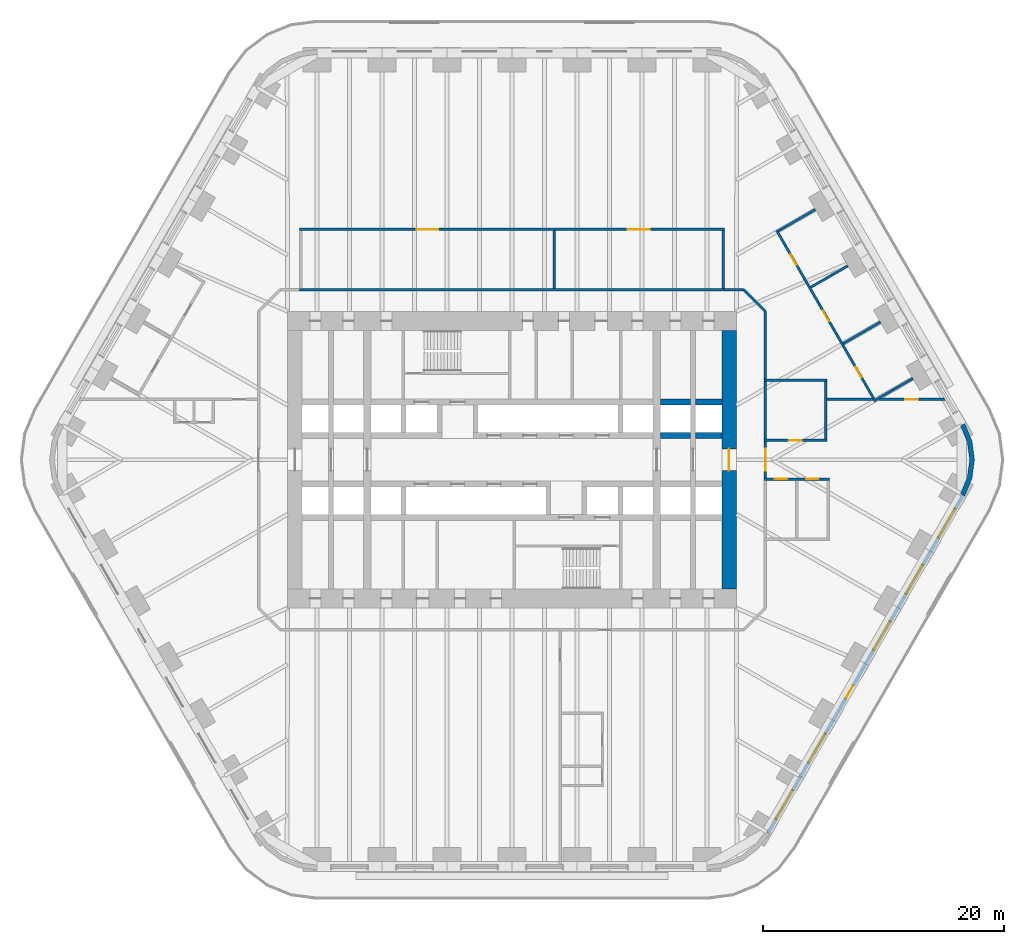
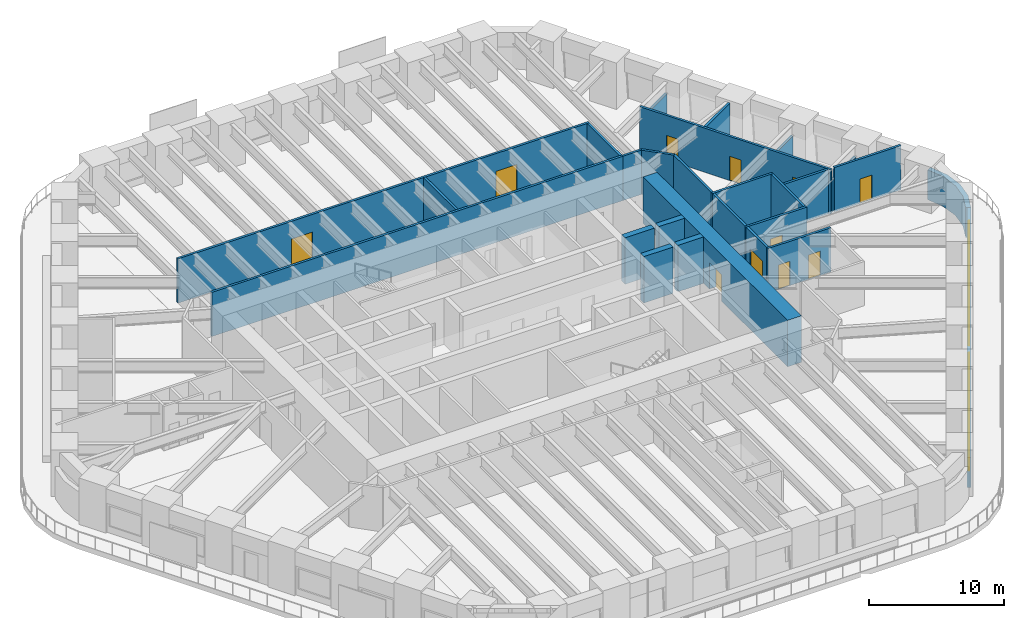
# One storey, part 19 of 23: 27 walls, 12 doors, 5 windows, 17 openings.
"""IFC4 building model written with IfcOpenShell, lengths in metres."""

from ifc_helpers import new_model, si_unit, direction, frame, frame_2d, origin, place, context, subcontext, project, spatial, polyline, rectangle, outline, extrude, material, layer, layer_set, type_object, element, fill, save


model = new_model("IFC4")

# Units and contexts
model_context = context("Model", 3, precision=1e-05, world=origin(), true_north=direction((0.0, 1.0)))
body_context = subcontext(model_context, "Body", "Model", "MODEL_VIEW")
ifc_project = project(units=[si_unit("LENGTHUNIT", "METRE"), si_unit("AREAUNIT", "SQUARE_METRE"), si_unit("VOLUMEUNIT", "CUBIC_METRE"), si_unit("PLANEANGLEUNIT", "RADIAN"), si_unit("MASSUNIT", "GRAM", prefix="KILO")], contexts=[model_context])

# Site, building, storey
site_placement = place(None, origin())
site = spatial("IfcSite", under=ifc_project, at=site_placement, CompositionType="ELEMENT")
building_placement = place(site_placement, origin())
building = spatial("IfcBuilding", under=site, at=building_placement, Name="Tarfa Lantern Tower", CompositionType="ELEMENT")
storey_placement = place(building_placement, frame((0.0, 0.0, 40.300048828125)))
storey = spatial("IfcBuildingStorey", under=building, at=storey_placement, Name="L08", CompositionType="ELEMENT", Elevation=40.300048828125)

# Wall, openings, door, windows
ifc_material_1 = material(Name="Limestone cladding on blockwork", Category="masonry")
ifc_layer_1 = layer(ifc_material_1, 0.300048828125)
ifc_layer_set_1 = layer_set([ifc_layer_1], Name="EW1 STONE-CLAD WALL 300")
wall_type_1 = type_object("IfcWallType", Name="EW1 STONE-CLAD WALL 300", PredefinedType="SOLIDWALL", material=ifc_layer_set_1)
wall_1_placement = place(storey_placement, frame((21.232177734375, -30.925048828125, 0.0), z_axis=(0.0, 0.0, 1.0), x_axis=(0.499999163675, 0.866025886636, 0.0)))
wall_1 = element("IfcWall", 1, at=wall_1_placement, inside=storey, type_object=wall_type_1, Name="Stone wall SE", PredefinedType="SOLIDWALL", context=body_context, shape_type="SweptSolid", body=[
    extrude(rectangle(XDim=32.33154296875, YDim=0.300048828125, at=frame_2d((16.165771484375, 0.0))), origin(), (0.0, 0.0, 1.0), 2.699951171875),
])
opening_1_placement = place(wall_1_placement, frame((1.3193359375, 0.0, 0.60009765625)))
opening_1 = element("IfcOpeningElement", 2, at=opening_1_placement, cuts=wall_1, Name="Opening W2", PredefinedType="OPENING", context=body_context, shape_type="SweptSolid", body=[
    extrude(rectangle(XDim=2.75, YDim=1.85009765625, at=frame_2d((1.375, 0.925048828125))), frame((0.0, 0.159912109375, 0.0), z_axis=(0.0, -1.0, 0.0), x_axis=(1.0, 0.0, 0.0)), (0.0, 0.0, 1.0), 0.320068359375),
])
opening_2_placement = place(wall_1_placement, frame((6.7080078125, 0.0, 0.60009765625)))
opening_2 = element("IfcOpeningElement", 3, at=opening_2_placement, cuts=wall_1, Name="Opening W2", PredefinedType="OPENING", context=body_context, shape_type="SweptSolid", body=[
    extrude(rectangle(XDim=2.75, YDim=1.85009765625, at=frame_2d((1.375, 0.925048828125))), frame((0.0, 0.159912109375, 0.0), z_axis=(0.0, -1.0, 0.0), x_axis=(1.0, 0.0, 0.0)), (0.0, 0.0, 1.0), 0.320068359375),
])
opening_3_placement = place(wall_1_placement, frame((12.87158203125, 0.0, 0.0)))
opening_3 = element("IfcOpeningElement", 4, at=opening_3_placement, cuts=wall_1, Name="Opening D50", PredefinedType="OPENING", context=body_context, shape_type="SweptSolid", body=[
    extrude(rectangle(XDim=1.199951171875, YDim=2.39990234375, at=frame_2d((0.60009765625, 1.199951171875))), frame((0.0, 0.159912109375, 0.0), z_axis=(0.0, -1.0, 0.0), x_axis=(1.0, 0.0, 0.0)), (0.0, 0.0, 1.0), 0.320068359375),
])
opening_4_placement = place(wall_1_placement, frame((17.485107421875, 0.0, 0.60009765625)))
opening_4 = element("IfcOpeningElement", 5, at=opening_4_placement, cuts=wall_1, Name="Opening W2", PredefinedType="OPENING", context=body_context, shape_type="SweptSolid", body=[
    extrude(rectangle(XDim=2.75, YDim=1.85009765625, at=frame_2d((1.375, 0.925048828125))), frame((0.0, 0.159912109375, 0.0), z_axis=(0.0, -1.0, 0.0), x_axis=(1.0, 0.0, 0.0)), (0.0, 0.0, 1.0), 0.320068359375),
])
opening_5_placement = place(wall_1_placement, frame((22.873779296875, 0.0, 0.60009765625)))
opening_5 = element("IfcOpeningElement", 6, at=opening_5_placement, cuts=wall_1, Name="Opening W2", PredefinedType="OPENING", context=body_context, shape_type="SweptSolid", body=[
    extrude(rectangle(XDim=2.75, YDim=1.85009765625, at=frame_2d((1.375, 0.925048828125))), frame((0.0, 0.159912109375, 0.0), z_axis=(0.0, -1.0, 0.0), x_axis=(1.0, 0.0, 0.0)), (0.0, 0.0, 1.0), 0.320068359375),
])
opening_6_placement = place(wall_1_placement, frame((28.26220703125, 0.0, 0.60009765625)))
opening_6 = element("IfcOpeningElement", 7, at=opening_6_placement, cuts=wall_1, Name="Opening W2", PredefinedType="OPENING", context=body_context, shape_type="SweptSolid", body=[
    extrude(rectangle(XDim=2.75, YDim=1.85009765625, at=frame_2d((1.375, 0.925048828125))), frame((0.0, 0.159912109375, 0.0), z_axis=(0.0, -1.0, 0.0), x_axis=(1.0, 0.0, 0.0)), (0.0, 0.0, 1.0), 0.320068359375),
])
ifc_material_2 = material(Name="Aluminium framed glazed door", Category="aluminium")
door_type_1 = type_object("IfcDoorType", Name="BE3 BALCONY DOOR 1200x2400", OperationType="SINGLE_SWING_RIGHT", PredefinedType="DOOR", material=ifc_material_2)
door_1_placement = place(opening_3_placement, origin())
door_1 = element("IfcDoor", 8, at=door_1_placement, inside=storey, type_object=door_type_1, Name="Balcony door SE", OperationType="SINGLE_SWING_RIGHT", OverallHeight=2.39990234375, OverallWidth=1.199951171875, PredefinedType="DOOR", context=body_context, shape_type="SweptSolid", body=[
    extrude(rectangle(XDim=1.199951171875, YDim=2.39990234375, at=frame_2d((0.60009765625, 1.199951171875))), frame((0.0, 0.02490234375, 0.0), z_axis=(0.0, -1.0, 0.0), x_axis=(1.0, 0.0, 0.0)), (0.0, 0.0, 1.0), 0.050048828125),
])
fill(opening_3, door_1)
ifc_material_3 = material(Name="Aluminium frame, double glazed", Category="aluminium")
window_type = type_object("IfcWindowType", Name="W2 FULL-HEIGHT GLAZING 2750x1850", PartitioningType="SINGLE_PANEL", PredefinedType="WINDOW", material=ifc_material_3)
window_1_placement = place(opening_1_placement, origin())
window_1 = element("IfcWindow", 9, at=window_1_placement, inside=storey, type_object=window_type, Name="Window SE 1", OverallHeight=1.85009765625, OverallWidth=2.75, PartitioningType="SINGLE_PANEL", PredefinedType="WINDOW", context=body_context, shape_type="SweptSolid", body=[
    extrude(rectangle(XDim=2.75, YDim=1.85009765625, at=frame_2d((1.375, 0.925048828125))), frame((0.0, 0.030029296875, 0.0), z_axis=(0.0, -1.0, 0.0), x_axis=(1.0, 0.0, 0.0)), (0.0, 0.0, 1.0), 0.06005859375),
])
fill(opening_1, window_1)
window_2_placement = place(opening_2_placement, origin())
window_2 = element("IfcWindow", 10, at=window_2_placement, inside=storey, type_object=window_type, Name="Window SE 2", OverallHeight=1.85009765625, OverallWidth=2.75, PartitioningType="SINGLE_PANEL", PredefinedType="WINDOW", context=body_context, shape_type="SweptSolid", body=[
    extrude(rectangle(XDim=2.75, YDim=1.85009765625, at=frame_2d((1.375, 0.925048828125))), frame((0.0, 0.030029296875, 0.0), z_axis=(0.0, -1.0, 0.0), x_axis=(1.0, 0.0, 0.0)), (0.0, 0.0, 1.0), 0.06005859375),
])
fill(opening_2, window_2)
window_3_placement = place(opening_4_placement, origin())
window_3 = element("IfcWindow", 11, at=window_3_placement, inside=storey, type_object=window_type, Name="Window SE 4", OverallHeight=1.85009765625, OverallWidth=2.75, PartitioningType="SINGLE_PANEL", PredefinedType="WINDOW", context=body_context, shape_type="SweptSolid", body=[
    extrude(rectangle(XDim=2.75, YDim=1.85009765625, at=frame_2d((1.375, 0.925048828125))), frame((0.0, 0.030029296875, 0.0), z_axis=(0.0, -1.0, 0.0), x_axis=(1.0, 0.0, 0.0)), (0.0, 0.0, 1.0), 0.06005859375),
])
fill(opening_4, window_3)
window_4_placement = place(opening_5_placement, origin())
window_4 = element("IfcWindow", 12, at=window_4_placement, inside=storey, type_object=window_type, Name="Window SE 5", OverallHeight=1.85009765625, OverallWidth=2.75, PartitioningType="SINGLE_PANEL", PredefinedType="WINDOW", context=body_context, shape_type="SweptSolid", body=[
    extrude(rectangle(XDim=2.75, YDim=1.85009765625, at=frame_2d((1.375, 0.925048828125))), frame((0.0, 0.030029296875, 0.0), z_axis=(0.0, -1.0, 0.0), x_axis=(1.0, 0.0, 0.0)), (0.0, 0.0, 1.0), 0.06005859375),
])
fill(opening_5, window_4)
window_5_placement = place(opening_6_placement, origin())
window_5 = element("IfcWindow", 13, at=window_5_placement, inside=storey, type_object=window_type, Name="Window SE 6", OverallHeight=1.85009765625, OverallWidth=2.75, PartitioningType="SINGLE_PANEL", PredefinedType="WINDOW", context=body_context, shape_type="SweptSolid", body=[
    extrude(rectangle(XDim=2.75, YDim=1.85009765625, at=frame_2d((1.375, 0.925048828125))), frame((0.0, 0.030029296875, 0.0), z_axis=(0.0, -1.0, 0.0), x_axis=(1.0, 0.0, 0.0)), (0.0, 0.0, 1.0), 0.06005859375),
])
fill(opening_6, window_5)

# Walls
ifc_layer_2 = layer(ifc_material_1, 0.39990234375)
ifc_layer_set_2 = layer_set([ifc_layer_2], Name="EW2 CURVED STONE CORNER 400")
wall_type_2 = type_object("IfcWallType", Name="EW2 CURVED STONE CORNER 400", PredefinedType="SOLIDWALL", material=ifc_layer_set_2)
wall_2_placement = place(storey_placement, origin())
element("IfcWall", 14, at=wall_2_placement, inside=storey, type_object=wall_type_2, Name="Stone corner SE-NE", PredefinedType="SOLIDWALL", context=body_context, shape_type="SweptSolid", body=[
    extrude(outline(polyline([(37.52783203125, -3.0), (38.127197265625, -1.552978515625), (38.33154296875, 0.0), (38.127197265625, 1.552978515625), (37.52783203125, 3.0), (37.181396484375, 2.800048828125), (37.74072265625, 1.449462890625), (37.931640625, 0.0), (37.74072265625, -1.449462890625), (37.181396484375, -2.800048828125), (37.52783203125, -3.0)])), origin(), (0.0, 0.0, 1.0), 2.699951171875),
])
ifc_material_4 = material(Name="Gypsum board on steel studs", Category="steel")
ifc_layer_3 = layer(ifc_material_4, 0.2099609375)
ifc_layer_set_3 = layer_set([ifc_layer_3], Name="IW2 ACOUSTIC PARTITION 200")
wall_type_3 = type_object("IfcWallType", Name="IW2 ACOUSTIC PARTITION 200", PredefinedType="PARTITIONING", material=ifc_layer_set_3)
wall_3_placement = place(storey_placement, frame((-17.60009765625, 14.10009765625, 0.0), z_axis=(0.0, 0.0, 1.0), x_axis=(1.0, 0.0, 0.0)))
element("IfcWall", 15, at=wall_3_placement, inside=storey, type_object=wall_type_3, Name="Partition", PredefinedType="PARTITIONING", context=body_context, shape_type="SweptSolid", body=[
    extrude(rectangle(XDim=35.2001953125, YDim=0.199951171875, at=frame_2d((17.60009765625, 0.0))), origin(), (0.0, 0.0, 1.0), 4.0),
])

# Wall, openings, doors
wall_4_placement = place(storey_placement, frame((-17.60009765625, 19.10009765625, 0.0), z_axis=(0.0, 0.0, 1.0), x_axis=(1.0, 0.0, 0.0)))
wall_4 = element("IfcWall", 16, at=wall_4_placement, inside=storey, type_object=wall_type_3, Name="Partition", PredefinedType="PARTITIONING", context=body_context, shape_type="SweptSolid", body=[
    extrude(rectangle(XDim=35.2001953125, YDim=0.199951171875, at=frame_2d((17.60009765625, 0.0))), origin(), (0.0, 0.0, 1.0), 4.0),
])
opening_7_placement = place(wall_4_placement, frame((9.699951171875, 0.0, 0.0)))
opening_7 = element("IfcOpeningElement", 17, at=opening_7_placement, cuts=wall_4, Name="Opening D37", PredefinedType="OPENING", context=body_context, shape_type="SweptSolid", body=[
    extrude(rectangle(XDim=1.800048828125, YDim=2.39990234375, at=frame_2d((0.89990234375, 1.199951171875))), frame((0.0, 0.10986328125, 0.0), z_axis=(0.0, -1.0, 0.0), x_axis=(1.0, 0.0, 0.0)), (0.0, 0.0, 1.0), 0.219970703125),
])
opening_8_placement = place(wall_4_placement, frame((27.199951171875, 0.0, 0.0)))
opening_8 = element("IfcOpeningElement", 18, at=opening_8_placement, cuts=wall_4, Name="Opening D38", PredefinedType="OPENING", context=body_context, shape_type="SweptSolid", body=[
    extrude(rectangle(XDim=1.800048828125, YDim=2.39990234375, at=frame_2d((0.89990234375, 1.199951171875))), frame((0.0, 0.10986328125, 0.0), z_axis=(0.0, -1.0, 0.0), x_axis=(1.0, 0.0, 0.0)), (0.0, 0.0, 1.0), 0.219970703125),
])
ifc_material_5 = material(Name="Timber door", Category="wood")
door_type_2 = type_object("IfcDoorType", Name="DR2 ROOM DOOR 1800x2400", OperationType="DOUBLE_DOOR_SINGLE_SWING", PredefinedType="DOOR", material=ifc_material_5)
door_2_placement = place(opening_7_placement, frame((1.800048828125, 0.0, 0.0), z_axis=(0.0, 0.0, 1.0), x_axis=(-1.0, 0.0, 0.0)))
door_2 = element("IfcDoor", 19, at=door_2_placement, inside=storey, type_object=door_type_2, Name="Device lab door", OperationType="DOUBLE_DOOR_SINGLE_SWING", OverallHeight=2.39990234375, OverallWidth=1.800048828125, PredefinedType="DOOR", context=body_context, shape_type="SweptSolid", body=[
    extrude(rectangle(XDim=1.800048828125, YDim=2.39990234375, at=frame_2d((0.89990234375, 1.199951171875))), frame((0.0, 0.02490234375, 0.0), z_axis=(0.0, -1.0, 0.0), x_axis=(1.0, 0.0, 0.0)), (0.0, 0.0, 1.0), 0.050048828125),
])
fill(opening_7, door_2)
door_3_placement = place(opening_8_placement, frame((1.800048828125, 0.0, 0.0), z_axis=(0.0, 0.0, 1.0), x_axis=(-1.0, 0.0, 0.0)))
door_3 = element("IfcDoor", 20, at=door_3_placement, inside=storey, type_object=door_type_2, Name="Communications room door", OperationType="DOUBLE_DOOR_SINGLE_SWING", OverallHeight=2.39990234375, OverallWidth=1.800048828125, PredefinedType="DOOR", context=body_context, shape_type="SweptSolid", body=[
    extrude(rectangle(XDim=1.800048828125, YDim=2.39990234375, at=frame_2d((0.89990234375, 1.199951171875))), frame((0.0, 0.02490234375, 0.0), z_axis=(0.0, -1.0, 0.0), x_axis=(1.0, 0.0, 0.0)), (0.0, 0.0, 1.0), 0.050048828125),
])
fill(opening_8, door_3)

# Walls
for number, where, z_axis, x_axis, name in (
    (21, (3.5, 14.199951171875, 0.0), (0.0, 0.0, 1.0), (0.0, 1.0, 0.0), "Partition"),
    (22, (17.5, 14.199951171875, 0.0), (0.0, 0.0, 1.0), (0.0, 1.0, 0.0), "Partition"),
):
    element("IfcWall", number, at=place(storey_placement, frame(where, z_axis=z_axis, x_axis=x_axis)), inside=storey, type_object=wall_type_3, Name=name, PredefinedType="PARTITIONING", context=body_context, shape_type="SweptSolid", body=[
        extrude(rectangle(XDim=4.800048828125, YDim=0.199951171875, at=frame_2d((2.39990234375, 0.0))), origin(), (0.0, 0.0, 1.0), 4.0),
    ])

# Wall, openings, doors
wall_5_placement = place(storey_placement, frame((30.120361328125, 4.830078125, 0.0), z_axis=(0.0, 0.0, 1.0), x_axis=(-0.500000949028, 0.866024855862, 0.0)))
wall_5 = element("IfcWall", 23, at=wall_5_placement, inside=storey, type_object=wall_type_3, Name="Partition", PredefinedType="PARTITIONING", context=body_context, shape_type="SweptSolid", body=[
    extrude(rectangle(XDim=16.36572265625, YDim=0.199951171875, at=frame_2d((8.182861328125, 0.0))), origin(), (0.0, 0.0, 1.0), 4.0),
])
opening_9_placement = place(wall_5_placement, frame((2.294189453125, 0.0, 0.0)))
opening_9 = element("IfcOpeningElement", 24, at=opening_9_placement, cuts=wall_5, Name="Opening D32", PredefinedType="OPENING", context=body_context, shape_type="SweptSolid", body=[
    extrude(rectangle(XDim=1.0, YDim=2.199951171875, at=frame_2d((0.5, 1.10009765625))), frame((0.0, 0.10986328125, 0.0), z_axis=(0.0, -1.0, 0.0), x_axis=(1.0, 0.0, 0.0)), (0.0, 0.0, 1.0), 0.219970703125),
])
opening_10_placement = place(wall_5_placement, frame((7.682861328125, 0.0, 0.0)))
opening_10 = element("IfcOpeningElement", 25, at=opening_10_placement, cuts=wall_5, Name="Opening D33", PredefinedType="OPENING", context=body_context, shape_type="SweptSolid", body=[
    extrude(rectangle(XDim=1.0, YDim=2.199951171875, at=frame_2d((0.5, 1.10009765625))), frame((0.0, 0.10986328125, 0.0), z_axis=(0.0, -1.0, 0.0), x_axis=(1.0, 0.0, 0.0)), (0.0, 0.0, 1.0), 0.219970703125),
])
opening_11_placement = place(wall_5_placement, frame((13.071533203125, 0.0, 0.0)))
opening_11 = element("IfcOpeningElement", 26, at=opening_11_placement, cuts=wall_5, Name="Opening D34", PredefinedType="OPENING", context=body_context, shape_type="SweptSolid", body=[
    extrude(rectangle(XDim=1.0, YDim=2.199951171875, at=frame_2d((0.5, 1.10009765625))), frame((0.0, 0.10986328125, 0.0), z_axis=(0.0, -1.0, 0.0), x_axis=(1.0, 0.0, 0.0)), (0.0, 0.0, 1.0), 0.219970703125),
])
door_type_3 = type_object("IfcDoorType", Name="DR1 ROOM DOOR 1000x2200", OperationType="SINGLE_SWING_LEFT", PredefinedType="DOOR", material=ifc_material_5)
door_4_placement = place(opening_9_placement, frame((1.0, 0.0, 0.0), z_axis=(0.0, 0.0, 1.0), x_axis=(-1.0, 0.0, 0.0)))
door_4 = element("IfcDoor", 27, at=door_4_placement, inside=storey, type_object=door_type_3, Name="Scrum room door", OperationType="SINGLE_SWING_LEFT", OverallHeight=2.199951171875, OverallWidth=1.0, PredefinedType="DOOR", context=body_context, shape_type="SweptSolid", body=[
    extrude(rectangle(XDim=1.0, YDim=2.199951171875, at=frame_2d((0.5, 1.10009765625))), frame((0.0, 0.02490234375, 0.0), z_axis=(0.0, -1.0, 0.0), x_axis=(1.0, 0.0, 0.0)), (0.0, 0.0, 1.0), 0.050048828125),
])
fill(opening_9, door_4)
door_5_placement = place(opening_10_placement, frame((1.0, 0.0, 0.0), z_axis=(0.0, 0.0, 1.0), x_axis=(-1.0, 0.0, 0.0)))
door_5 = element("IfcDoor", 28, at=door_5_placement, inside=storey, type_object=door_type_3, Name="Scrum room door", OperationType="SINGLE_SWING_RIGHT", OverallHeight=2.199951171875, OverallWidth=1.0, PredefinedType="DOOR", context=body_context, shape_type="SweptSolid", body=[
    extrude(rectangle(XDim=1.0, YDim=2.199951171875, at=frame_2d((0.5, 1.10009765625))), frame((0.0, 0.02490234375, 0.0), z_axis=(0.0, -1.0, 0.0), x_axis=(1.0, 0.0, 0.0)), (0.0, 0.0, 1.0), 0.050048828125),
])
fill(opening_10, door_5)
door_6_placement = place(opening_11_placement, frame((1.0, 0.0, 0.0), z_axis=(0.0, 0.0, 1.0), x_axis=(-1.0, 0.0, 0.0)))
door_6 = element("IfcDoor", 29, at=door_6_placement, inside=storey, type_object=door_type_3, Name="Scrum room door", OperationType="SINGLE_SWING_RIGHT", OverallHeight=2.199951171875, OverallWidth=1.0, PredefinedType="DOOR", context=body_context, shape_type="SweptSolid", body=[
    extrude(rectangle(XDim=1.0, YDim=2.199951171875, at=frame_2d((0.5, 1.10009765625))), frame((0.0, 0.02490234375, 0.0), z_axis=(0.0, -1.0, 0.0), x_axis=(1.0, 0.0, 0.0)), (0.0, 0.0, 1.0), 0.050048828125),
])
fill(opening_11, door_6)

# Walls
wall_6_placement = place(storey_placement, frame((30.156982421875, 4.966552734375, 0.0), z_axis=(0.0, 0.0, 1.0), x_axis=(0.865995461329, 0.500051858269, 0.0)))
element("IfcWall", 30, at=wall_6_placement, inside=storey, type_object=wall_type_3, Name="Partition", PredefinedType="PARTITIONING", context=body_context, shape_type="SweptSolid", body=[
    extrude(rectangle(XDim=3.5498046875, YDim=0.199951171875, at=frame_2d((1.77490234375, 0.0))), origin(), (0.0, 0.0, 1.0), 2.94384765625),
])
wall_7_placement = place(storey_placement, frame((27.462646484375, 9.63330078125, 0.0), z_axis=(0.0, 0.0, 1.0), x_axis=(0.866012656725, 0.500022077904, 0.0)))
element("IfcWall", 31, at=wall_7_placement, inside=storey, type_object=wall_type_3, Name="Partition", PredefinedType="PARTITIONING", context=body_context, shape_type="SweptSolid", body=[
    extrude(rectangle(XDim=3.550048828125, YDim=0.199951171875, at=frame_2d((1.77490234375, 0.0))), origin(), (0.0, 0.0, 1.0), 2.94384765625),
])
wall_8_placement = place(storey_placement, frame((24.768310546875, 14.300048828125, 0.0), z_axis=(0.0, 0.0, 1.0), x_axis=(0.8660424351, 0.499970499736, 0.0)))
element("IfcWall", 32, at=wall_8_placement, inside=storey, type_object=wall_type_3, Name="Partition", PredefinedType="PARTITIONING", context=body_context, shape_type="SweptSolid", body=[
    extrude(rectangle(XDim=3.550048828125, YDim=0.199951171875, at=frame_2d((1.77490234375, 0.0))), origin(), (0.0, 0.0, 1.0), 4.0),
])
wall_9_placement = place(storey_placement, frame((22.073974609375, 18.966552734375, 0.0), z_axis=(0.0, 0.0, 1.0), x_axis=(0.866012656725, 0.500022077904, 0.0)))
element("IfcWall", 33, at=wall_9_placement, inside=storey, type_object=wall_type_3, Name="Partition", PredefinedType="PARTITIONING", context=body_context, shape_type="SweptSolid", body=[
    extrude(rectangle(XDim=3.550048828125, YDim=0.199951171875, at=frame_2d((1.77490234375, 0.0))), origin(), (0.0, 0.0, 1.0), 2.991943359375),
])

# Wall, opening, door
wall_10_placement = place(storey_placement, frame((20.89990234375, 1.60009765625, 0.0), z_axis=(0.0, 0.0, 1.0), x_axis=(1.0, 0.0, 0.0)))
wall_10 = element("IfcWall", 34, at=wall_10_placement, inside=storey, type_object=wall_type_3, Name="Partition", PredefinedType="PARTITIONING", context=body_context, shape_type="SweptSolid", body=[
    extrude(rectangle(XDim=5.2001953125, YDim=0.199951171875, at=frame_2d((2.60009765625, 0.0))), origin(), (0.0, 0.0, 1.0), 4.0),
])
opening_12_placement = place(wall_10_placement, frame((2.10009765625, 0.0, 0.0)))
opening_12 = element("IfcOpeningElement", 35, at=opening_12_placement, cuts=wall_10, Name="Opening D29", PredefinedType="OPENING", context=body_context, shape_type="SweptSolid", body=[
    extrude(rectangle(XDim=1.0, YDim=2.199951171875, at=frame_2d((0.5, 1.10009765625))), frame((0.0, 0.10986328125, 0.0), z_axis=(0.0, -1.0, 0.0), x_axis=(1.0, 0.0, 0.0)), (0.0, 0.0, 1.0), 0.219970703125),
])
door_7_placement = place(opening_12_placement, origin())
door_7 = element("IfcDoor", 36, at=door_7_placement, inside=storey, type_object=door_type_3, Name="Pantry door", OperationType="SINGLE_SWING_RIGHT", OverallHeight=2.199951171875, OverallWidth=1.0, PredefinedType="DOOR", context=body_context, shape_type="SweptSolid", body=[
    extrude(rectangle(XDim=1.0, YDim=2.199951171875, at=frame_2d((0.5, 1.10009765625))), frame((0.0, 0.02490234375, 0.0), z_axis=(0.0, -1.0, 0.0), x_axis=(1.0, 0.0, 0.0)), (0.0, 0.0, 1.0), 0.050048828125),
])
fill(opening_12, door_7)

# Walls
wall_11_placement = place(storey_placement, frame((20.89990234375, 6.60009765625, 0.0), z_axis=(0.0, 0.0, 1.0), x_axis=(1.0, 0.0, 0.0)))
element("IfcWall", 37, at=wall_11_placement, inside=storey, type_object=wall_type_3, Name="Partition", PredefinedType="PARTITIONING", context=body_context, shape_type="SweptSolid", body=[
    extrude(rectangle(XDim=5.2001953125, YDim=0.199951171875, at=frame_2d((2.60009765625, 0.0))), origin(), (0.0, 0.0, 1.0), 4.0),
])
for number, where, z_axis, x_axis, name in (
    (38, (21.0, 1.699951171875, 0.0), (0.0, 0.0, 1.0), (0.0, 1.0, 0.0), "Partition"),
    (39, (26.0, 1.699951171875, 0.0), (0.0, 0.0, 1.0), (0.0, 1.0, 0.0), "Partition"),
):
    element("IfcWall", number, at=place(storey_placement, frame(where, z_axis=z_axis, x_axis=x_axis)), inside=storey, type_object=wall_type_3, Name=name, PredefinedType="PARTITIONING", context=body_context, shape_type="SweptSolid", body=[
        extrude(rectangle(XDim=4.800048828125, YDim=0.199951171875, at=frame_2d((2.39990234375, 0.0))), origin(), (0.0, 0.0, 1.0), 4.0),
    ])

# Wall, openings, doors
wall_12_placement = place(storey_placement, frame((20.89990234375, -1.60009765625, 0.0), z_axis=(0.0, 0.0, 1.0), x_axis=(1.0, 0.0, 0.0)))
wall_12 = element("IfcWall", 40, at=wall_12_placement, inside=storey, type_object=wall_type_3, Name="Partition", PredefinedType="PARTITIONING", context=body_context, shape_type="SweptSolid", body=[
    extrude(rectangle(XDim=5.400146484375, YDim=0.199951171875, at=frame_2d((2.7001953125, 0.0))), origin(), (0.0, 0.0, 1.0), 4.0),
])
opening_13_placement = place(wall_12_placement, frame((0.89990234375, 0.0, 0.0)))
opening_13 = element("IfcOpeningElement", 41, at=opening_13_placement, cuts=wall_12, Name="Opening D30", PredefinedType="OPENING", context=body_context, shape_type="SweptSolid", body=[
    extrude(rectangle(XDim=1.0, YDim=2.199951171875, at=frame_2d((0.5, 1.10009765625))), frame((0.0, 0.10986328125, 0.0), z_axis=(0.0, -1.0, 0.0), x_axis=(1.0, 0.0, 0.0)), (0.0, 0.0, 1.0), 0.219970703125),
])
opening_14_placement = place(wall_12_placement, frame((3.5, 0.0, 0.0)))
opening_14 = element("IfcOpeningElement", 42, at=opening_14_placement, cuts=wall_12, Name="Opening D31", PredefinedType="OPENING", context=body_context, shape_type="SweptSolid", body=[
    extrude(rectangle(XDim=1.0, YDim=2.199951171875, at=frame_2d((0.5, 1.10009765625))), frame((0.0, 0.10986328125, 0.0), z_axis=(0.0, -1.0, 0.0), x_axis=(1.0, 0.0, 0.0)), (0.0, 0.0, 1.0), 0.219970703125),
])
door_8_placement = place(opening_13_placement, frame((1.0, 0.0, 0.0), z_axis=(0.0, 0.0, 1.0), x_axis=(-1.0, 0.0, 0.0)))
door_8 = element("IfcDoor", 43, at=door_8_placement, inside=storey, type_object=door_type_3, Name="Focus room door", OperationType="SINGLE_SWING_LEFT", OverallHeight=2.199951171875, OverallWidth=1.0, PredefinedType="DOOR", context=body_context, shape_type="SweptSolid", body=[
    extrude(rectangle(XDim=1.0, YDim=2.199951171875, at=frame_2d((0.5, 1.10009765625))), frame((0.0, 0.02490234375, 0.0), z_axis=(0.0, -1.0, 0.0), x_axis=(1.0, 0.0, 0.0)), (0.0, 0.0, 1.0), 0.050048828125),
])
fill(opening_13, door_8)
door_9_placement = place(opening_14_placement, frame((1.0, 0.0, 0.0), z_axis=(0.0, 0.0, 1.0), x_axis=(-1.0, 0.0, 0.0)))
door_9 = element("IfcDoor", 44, at=door_9_placement, inside=storey, type_object=door_type_3, Name="Focus room door", OperationType="SINGLE_SWING_RIGHT", OverallHeight=2.199951171875, OverallWidth=1.0, PredefinedType="DOOR", context=body_context, shape_type="SweptSolid", body=[
    extrude(rectangle(XDim=1.0, YDim=2.199951171875, at=frame_2d((0.5, 1.10009765625))), frame((0.0, 0.02490234375, 0.0), z_axis=(0.0, -1.0, 0.0), x_axis=(1.0, 0.0, 0.0)), (0.0, 0.0, 1.0), 0.050048828125),
])
fill(opening_14, door_9)

# Walls
wall_13_placement = place(storey_placement, frame((17.60009765625, 14.10009765625, 0.0), z_axis=(0.0, 0.0, 1.0), x_axis=(1.0, 0.0, 0.0)))
element("IfcWall", 45, at=wall_13_placement, inside=storey, type_object=wall_type_3, Name="Partition", PredefinedType="PARTITIONING", context=body_context, shape_type="SweptSolid", body=[
    extrude(rectangle(XDim=1.599853515625, YDim=0.199951171875, at=frame_2d((0.7998046875, 0.0))), origin(), (0.0, 0.0, 1.0), 4.0),
])
wall_14_placement = place(storey_placement, frame((19.199951171875, 14.10009765625, 0.0), z_axis=(0.0, 0.0, 1.0), x_axis=(0.707106781187, -0.707106781187, 0.0)))
element("IfcWall", 46, at=wall_14_placement, inside=storey, type_object=wall_type_3, Name="Partition", PredefinedType="PARTITIONING", context=body_context, shape_type="SweptSolid", body=[
    extrude(rectangle(XDim=2.545654296875, YDim=0.199951171875, at=frame_2d((1.27294921875, 0.0))), origin(), (0.0, 0.0, 1.0), 4.0),
])

# Wall, opening, door
wall_15_placement = place(storey_placement, frame((21.0, 1.4990234375, 0.0), z_axis=(0.0, 0.0, 1.0), x_axis=(0.0, -1.0, 0.0)))
wall_15 = element("IfcWall", 47, at=wall_15_placement, inside=storey, type_object=wall_type_3, Name="Partition", PredefinedType="PARTITIONING", context=body_context, shape_type="SweptSolid", body=[
    extrude(rectangle(XDim=2.998046875, YDim=0.199951171875, at=frame_2d((1.4990234375, 0.0))), origin(), (0.0, 0.0, 1.0), 4.0),
])
opening_15_placement = place(wall_15_placement, frame((0.59912109375, 0.0, 0.0)))
opening_15 = element("IfcOpeningElement", 48, at=opening_15_placement, cuts=wall_15, Name="Opening D43", PredefinedType="OPENING", context=body_context, shape_type="SweptSolid", body=[
    extrude(rectangle(XDim=1.800048828125, YDim=2.39990234375, at=frame_2d((0.89990234375, 1.199951171875))), frame((0.0, 0.10986328125, 0.0), z_axis=(0.0, -1.0, 0.0), x_axis=(1.0, 0.0, 0.0)), (0.0, 0.0, 1.0), 0.219970703125),
])
door_10_placement = place(opening_15_placement, origin())
door_10 = element("IfcDoor", 49, at=door_10_placement, inside=storey, type_object=door_type_2, Name="Corridor door", OperationType="DOUBLE_DOOR_SINGLE_SWING", OverallHeight=2.39990234375, OverallWidth=1.800048828125, PredefinedType="DOOR", context=body_context, shape_type="SweptSolid", body=[
    extrude(rectangle(XDim=1.800048828125, YDim=2.39990234375, at=frame_2d((0.89990234375, 1.199951171875))), frame((0.0, 0.02490234375, 0.0), z_axis=(0.0, -1.0, 0.0), x_axis=(1.0, 0.0, 0.0)), (0.0, 0.0, 1.0), 0.050048828125),
])
fill(opening_15, door_10)

# Walls
wall_16_placement = place(storey_placement, frame((21.0, 12.300048828125, 0.0), z_axis=(0.0, 0.0, 1.0), x_axis=(0.0, -1.0, 0.0)))
element("IfcWall", 50, at=wall_16_placement, inside=storey, type_object=wall_type_3, Name="Partition", PredefinedType="PARTITIONING", context=body_context, shape_type="SweptSolid", body=[
    extrude(rectangle(XDim=5.59912109375, YDim=0.199951171875, at=frame_2d((2.799560546875, 0.0))), origin(), (0.0, 0.0, 1.0), 4.0),
])
wall_17_placement = place(storey_placement, frame((26.10009765625, 5.0, 0.0), z_axis=(0.0, 0.0, 1.0), x_axis=(1.0, 0.0, 0.0)))
element("IfcWall", 51, at=wall_17_placement, inside=storey, type_object=wall_type_3, Name="Partition", PredefinedType="PARTITIONING", context=body_context, shape_type="SweptSolid", body=[
    extrude(rectangle(XDim=3.806640625, YDim=0.199951171875, at=frame_2d((1.9033203125, 0.0))), origin(), (0.0, 0.0, 1.0), 4.0),
])

# Wall, opening, door
wall_18_placement = place(storey_placement, frame((30.41455078125, 5.0, 0.0), z_axis=(0.0, 0.0, 1.0), x_axis=(1.0, 0.0, 0.0)))
wall_18 = element("IfcWall", 52, at=wall_18_placement, inside=storey, type_object=wall_type_3, Name="Partition", PredefinedType="PARTITIONING", context=body_context, shape_type="SweptSolid", body=[
    extrude(rectangle(XDim=5.704345703125, YDim=0.199951171875, at=frame_2d((2.85205078125, 0.0))), origin(), (0.0, 0.0, 1.0), 4.0),
])
opening_16_placement = place(wall_18_placement, frame((2.199951171875, 0.0, 0.0)))
opening_16 = element("IfcOpeningElement", 53, at=opening_16_placement, cuts=wall_18, Name="Opening D46", PredefinedType="OPENING", context=body_context, shape_type="SweptSolid", body=[
    extrude(rectangle(XDim=1.0, YDim=2.199951171875, at=frame_2d((0.5, 1.10009765625))), frame((0.0, 0.10986328125, 0.0), z_axis=(0.0, -1.0, 0.0), x_axis=(1.0, 0.0, 0.0)), (0.0, 0.0, 1.0), 0.219970703125),
])
door_11_placement = place(opening_16_placement, frame((1.0, 0.0, 0.0), z_axis=(0.0, 0.0, 1.0), x_axis=(-1.0, 0.0, 0.0)))
door_11 = element("IfcDoor", 54, at=door_11_placement, inside=storey, type_object=door_type_3, Name="Zone door", OperationType="SINGLE_SWING_LEFT", OverallHeight=2.199951171875, OverallWidth=1.0, PredefinedType="DOOR", context=body_context, shape_type="SweptSolid", body=[
    extrude(rectangle(XDim=1.0, YDim=2.199951171875, at=frame_2d((0.5, 1.10009765625))), frame((0.0, 0.02490234375, 0.0), z_axis=(0.0, -1.0, 0.0), x_axis=(1.0, 0.0, 0.0)), (0.0, 0.0, 1.0), 0.050048828125),
])
fill(opening_16, door_11)

ifc_material_6 = material(Name="Concrete C80/95", Category="concrete")
ifc_layer_4 = layer(ifc_material_6, 1.199951171875)
ifc_layer_set_4 = layer_set([ifc_layer_4], Name="SW1 CORE WALL 1200")
wall_type_4 = type_object("IfcWallType", Name="SW1 CORE WALL 1200", PredefinedType="SHEAR", material=ifc_layer_set_4)
wall_19_placement = place(storey_placement, frame((18.0, -10.699951171875, 0.0), z_axis=(0.0, 0.0, 1.0), x_axis=(0.0, 1.0, 0.0)))
wall_19 = element("IfcWall", 55, at=wall_19_placement, inside=storey, type_object=wall_type_4, Name="Core wall E", PredefinedType="SHEAR", context=body_context, shape_type="SweptSolid", body=[
    extrude(rectangle(XDim=21.39990234375, YDim=1.199951171875, at=frame_2d((10.699951171875, 0.0))), origin(), (0.0, 0.0, 1.0), 4.199951171875),
])
opening_17_placement = place(wall_19_placement, frame((9.800048828125, 0.0, 0.0)))
opening_17 = element("IfcOpeningElement", 56, at=opening_17_placement, cuts=wall_19, Name="Opening D15", PredefinedType="OPENING", context=body_context, shape_type="SweptSolid", body=[
    extrude(rectangle(XDim=1.800048828125, YDim=2.39990234375, at=frame_2d((0.89990234375, 1.199951171875))), frame((0.0, 0.60986328125, 0.0), z_axis=(0.0, -1.0, 0.0), x_axis=(1.0, 0.0, 0.0)), (0.0, 0.0, 1.0), 1.219970703125),
])
ifc_material_7 = material(Name="Steel fire door", Category="steel")
door_type_4 = type_object("IfcDoorType", Name="DL1 LOBBY DOOR 1800x2400", OperationType="DOUBLE_DOOR_SINGLE_SWING", PredefinedType="DOOR", material=ifc_material_7)
door_12_placement = place(opening_17_placement, frame((1.800048828125, 0.0, 0.0), z_axis=(0.0, 0.0, 1.0), x_axis=(-1.0, 0.0, 0.0)))
door_12 = element("IfcDoor", 57, at=door_12_placement, inside=storey, type_object=door_type_4, Name="Lift lobby door", OperationType="DOUBLE_DOOR_SINGLE_SWING", OverallHeight=2.39990234375, OverallWidth=1.800048828125, PredefinedType="DOOR", context=body_context, shape_type="SweptSolid", body=[
    extrude(rectangle(XDim=1.800048828125, YDim=2.39990234375, at=frame_2d((0.89990234375, 1.199951171875))), frame((0.0, 0.02490234375, 0.0), z_axis=(0.0, -1.0, 0.0), x_axis=(1.0, 0.0, 0.0)), (0.0, 0.0, 1.0), 0.050048828125),
])
fill(opening_17, door_12)

# Walls
ifc_layer_5 = layer(ifc_material_6, 0.5)
ifc_layer_set_5 = layer_set([ifc_layer_5], Name="SW5 CORE WALL 500")
wall_type_5 = type_object("IfcWallType", Name="SW5 CORE WALL 500", PredefinedType="SHEAR", material=ifc_layer_set_5)
wall_20_placement = place(storey_placement, frame((12.300048828125, 2.0, 0.0), z_axis=(0.0, 0.0, 1.0), x_axis=(1.0, 0.0, 0.0)))
element("IfcWall", 58, at=wall_20_placement, inside=storey, type_object=wall_type_5, Name="Core wall lobby east N", PredefinedType="SHEAR", context=body_context, shape_type="SweptSolid", body=[
    extrude(rectangle(XDim=2.5, YDim=0.5, at=frame_2d((1.25, 0.0))), origin(), (0.0, 0.0, 1.0), 4.199951171875),
])
wall_21_placement = place(storey_placement, frame((15.199951171875, 2.0, 0.0), z_axis=(0.0, 0.0, 1.0), x_axis=(1.0, 0.0, 0.0)))
element("IfcWall", 59, at=wall_21_placement, inside=storey, type_object=wall_type_5, Name="Core wall lobby east N", PredefinedType="SHEAR", context=body_context, shape_type="SweptSolid", body=[
    extrude(rectangle(XDim=2.199951171875, YDim=0.5, at=frame_2d((1.10009765625, 0.0))), origin(), (0.0, 0.0, 1.0), 4.199951171875),
])
wall_22_placement = place(storey_placement, frame((12.300048828125, 4.800048828125, 0.0), z_axis=(0.0, 0.0, 1.0), x_axis=(1.0, 0.0, 0.0)))
element("IfcWall", 60, at=wall_22_placement, inside=storey, type_object=wall_type_5, Name="Core wall rear N", PredefinedType="SHEAR", context=body_context, shape_type="SweptSolid", body=[
    extrude(rectangle(XDim=2.5, YDim=0.5, at=frame_2d((1.25, 0.0))), origin(), (0.0, 0.0, 1.0), 4.199951171875),
])
wall_23_placement = place(storey_placement, frame((15.199951171875, 4.800048828125, 0.0), z_axis=(0.0, 0.0, 1.0), x_axis=(1.0, 0.0, 0.0)))
element("IfcWall", 61, at=wall_23_placement, inside=storey, type_object=wall_type_5, Name="Core wall rear N", PredefinedType="SHEAR", context=body_context, shape_type="SweptSolid", body=[
    extrude(rectangle(XDim=2.199951171875, YDim=0.5, at=frame_2d((1.10009765625, 0.0))), origin(), (0.0, 0.0, 1.0), 4.199951171875),
])

save(model, "model.ifc")
